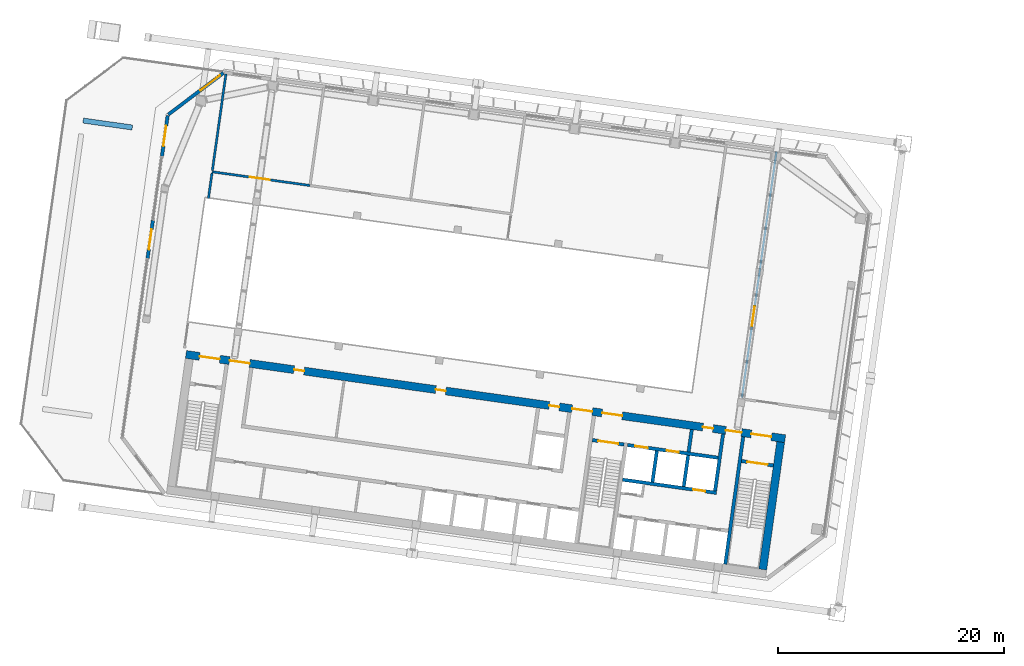
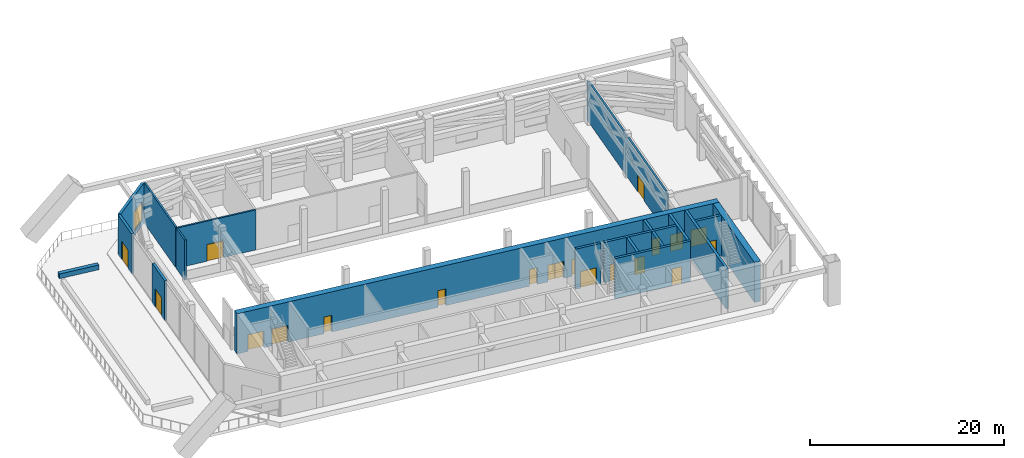
# One storey, part 21 of 41: 19 doors, 19 walls, 1 window, 20 openings.
"""IFC4 building model written with IfcOpenShell, lengths in metres."""

import ifcopenshell
import ifcopenshell.guid

model = None  # the IFC model being written
_history = None  # IfcOwnerHistory: only IFC2X3 demands one
_inside = {}  # id of a spatial element -> (the spatial element, [elements in it])
_under = {}  # id of a project, library or spatial element -> (it, [spatial elements below it])
_declared = {}  # id of a project -> (the project, [libraries it declares])
_typed = {}  # id of a type object -> (the type object, [elements of that type])
_made_of = {}  # id of a material, layer set ... -> (it, [elements and type objects made of it])


def new_model(schema):
    """Start an empty IFC model of exactly this schema.

    Asked for "IFC4X3", IfcOpenShell would pick the latest addendum, in which some entities
    have other attributes; the version numbers below select the first issue.
    IFC2X3 requires an IfcOwnerHistory on every rooted entity: one is made here for all.
    """
    global model, _history
    if schema == "IFC4X3":
        model = ifcopenshell.file(schema_version=(4, 3, 0, 0))
    else:
        model = ifcopenshell.file(schema=schema)
    _inside.clear()
    _under.clear()
    _declared.clear()
    _typed.clear()
    _made_of.clear()
    _history = None
    if model.schema == "IFC2X3":
        org = make("IfcOrganization", Name="unknown")
        user = make(
            "IfcPersonAndOrganization",
            ThePerson=make("IfcPerson", FamilyName="unknown"),
            TheOrganization=org,
        )
        app = make(
            "IfcApplication",
            ApplicationDeveloper=org,
            Version="unknown",
            ApplicationFullName="unknown",
            ApplicationIdentifier="unknown",
        )
        _history = make(
            "IfcOwnerHistory",
            OwningUser=user,
            OwningApplication=app,
            ChangeAction="ADDED",
            CreationDate=0,
        )
    return model


def make(cls, **values):
    """One entity of the class cls with the attributes given. An attribute that is None is left unset."""
    return model.create_entity(
        cls, **{name: value for name, value in values.items() if value is not None}
    )


def rooted(cls, **values):
    """An entity with a GlobalId (a new one), such as an element, a storey or a relation."""
    return make(cls, GlobalId=ifcopenshell.guid.new(), OwnerHistory=_history, **values)


def si_unit(unit_type, name, prefix=None):
    """IfcSIUnit, for example si_unit("LENGTHUNIT", "METRE", prefix="MILLI")."""
    return make("IfcSIUnit", UnitType=unit_type, Prefix=prefix, Name=name)


def assignment(units):
    """IfcUnitAssignment: the units of a project."""
    return None if units is None else make("IfcUnitAssignment", Units=units)


def point(xyz):
    """IfcCartesianPoint."""
    return None if xyz is None else make("IfcCartesianPoint", Coordinates=xyz)


def direction(xyz):
    """IfcDirection."""
    return None if xyz is None else make("IfcDirection", DirectionRatios=xyz)


def frame(location, z_axis=None, x_axis=None):
    """IfcAxis2Placement3D, a coordinate frame: its origin and axes. An axis left out is left unset."""
    return make(
        "IfcAxis2Placement3D",
        Location=point(location),
        Axis=direction(z_axis),
        RefDirection=direction(x_axis),
    )


def frame_2d(location, x_axis=None):
    """IfcAxis2Placement2D, a coordinate frame in the plane: its origin and x axis."""
    return make(
        "IfcAxis2Placement2D", Location=point(location), RefDirection=direction(x_axis)
    )


def origin():
    """The frame at (0, 0, 0) with its axes left unset."""
    return frame((0.0, 0.0, 0.0))


def place(relative_to, where):
    """IfcLocalPlacement: puts the frame where relative to a parent placement (None: the world)."""
    return make(
        "IfcLocalPlacement", PlacementRelTo=relative_to, RelativePlacement=where
    )


def context(
    kind, dimensions, precision=None, world=None, true_north=None, identifier=None
):
    """IfcGeometricRepresentationContext, for example the 3D "Model" context."""
    return make(
        "IfcGeometricRepresentationContext",
        ContextIdentifier=identifier,
        ContextType=kind,
        CoordinateSpaceDimension=dimensions,
        Precision=precision,
        WorldCoordinateSystem=world,
        TrueNorth=true_north,
    )


def subcontext(parent, identifier, kind, view, scale=None):
    """IfcGeometricRepresentationSubContext, for example "Body" below "Model"."""
    return make(
        "IfcGeometricRepresentationSubContext",
        ContextIdentifier=identifier,
        ContextType=kind,
        ParentContext=parent,
        TargetScale=scale,
        TargetView=view,
    )


def project(units=None, contexts=None):
    """IfcProject with its units and contexts."""
    return rooted(
        "IfcProject",
        Name="project",
        RepresentationContexts=contexts,
        UnitsInContext=assignment(units),
    )


def spatial(cls, under=None, at=None, **own):
    """A site, building, storey or space (cls), placed at a placement, below another one or the project."""
    s = rooted(cls, ObjectPlacement=at, **own)
    if under is not None:
        _under.setdefault(under.id(), (under, []))[1].append(s)
    return s


def profile(cls, at=None, kind="AREA", **sizes):
    """A parametric profile (cls). Its sizes go by their IFC names, for example OverallWidth=200.0."""
    return make(cls, ProfileType=kind, Position=at, **sizes)


def rectangle(**sizes):
    """IfcRectangleProfileDef."""
    return profile("IfcRectangleProfileDef", **sizes)


def extrude(swept, where, along, depth):
    """IfcExtrudedAreaSolid: the profile swept, set in the frame where, extruded along a direction by depth."""
    return make(
        "IfcExtrudedAreaSolid",
        SweptArea=swept,
        Position=where,
        ExtrudedDirection=direction(along),
        Depth=depth,
    )


def shape(context_of_items, identifier, shape_type, items):
    """IfcShapeRepresentation: the items that make up one representation, for example the "Body"."""
    return make(
        "IfcShapeRepresentation",
        ContextOfItems=context_of_items,
        RepresentationIdentifier=identifier,
        RepresentationType=shape_type,
        Items=items,
    )


def material(Name=None, Category=None):
    """IfcMaterial."""
    return make("IfcMaterial", Name=Name, Category=Category)


def layer(
    of_material, thickness, ventilated=None, Name=None, Category=None, Priority=None
):
    """IfcMaterialLayer: one layer of a wall or slab, of a material (None: an air gap)."""
    return make(
        "IfcMaterialLayer",
        Material=of_material,
        LayerThickness=thickness,
        IsVentilated=ventilated,
        Name=Name,
        Category=Category,
        Priority=Priority,
    )


def layer_set(layers, Name=None):
    """IfcMaterialLayerSet."""
    return make("IfcMaterialLayerSet", MaterialLayers=layers, LayerSetName=Name)


def made_of(thing, what):
    """Note that an element or type object is made of a material, layer set ...; save() writes the relation."""
    if what is not None:
        _made_of.setdefault(what.id(), (what, []))[1].append(thing)
    return thing


def type_object(cls, material=None, **own):
    """A type object (cls), such as IfcWallType, which elements share."""
    return made_of(rooted(cls, **own), material)


def element(
    cls,
    number,
    at=None,
    inside=None,
    cuts=None,
    type_object=None,
    material=None,
    context=None,
    identifier="Body",
    shape_type=None,
    held_by="IfcProductDefinitionShape",
    body=None,
    shapes=None,
    **own,
):
    """One element of the class cls, such as IfcWall. Its Tag is "e" and its number.

    at: its placement. inside: the storey or other place that contains it. cuts: it is an
    opening in that element (IfcRelVoidsElement). A single representation is given by context,
    identifier, shape_type and body (its items); several are given by shapes. held_by: the class
    of the entity that holds the representations. save() writes the other relations.
    """
    e = rooted(cls, Tag="e%d" % number, ObjectPlacement=at, **own)
    if body is not None:
        shapes = [shape(context, identifier, shape_type, body)]
    if shapes is not None:
        e.Representation = make(held_by, Representations=shapes)
    if inside is not None:
        _inside.setdefault(inside.id(), (inside, []))[1].append(e)
    if cuts is not None:
        rooted(
            "IfcRelVoidsElement", RelatingBuildingElement=cuts, RelatedOpeningElement=e
        )
    if type_object is not None:
        _typed.setdefault(type_object.id(), (type_object, []))[1].append(e)
    return made_of(e, material)


def fill(opening, filler):
    """IfcRelFillsElement: the door or window that sits in an opening."""
    return rooted(
        "IfcRelFillsElement",
        RelatingOpeningElement=opening,
        RelatedBuildingElement=filler,
    )


def aggregate(whole, parts):
    """IfcRelAggregates: a whole, such as a stair, and the parts it consists of."""
    return rooted("IfcRelAggregates", RelatingObject=whole, RelatedObjects=parts)


def save(model, path):
    """Write the relations noted so far, then the file.

    IfcRelAggregates (storeys below a building ...), IfcRelContainedInSpatialStructure (elements
    in a storey), IfcRelDefinesByType, IfcRelAssociatesMaterial and IfcRelDeclares: one each for
    every whole, place, type object, material and project.
    """
    for whole, parts in _under.values():
        aggregate(whole, parts)
    for where, things in _inside.values():
        rooted(
            "IfcRelContainedInSpatialStructure",
            RelatedElements=things,
            RelatingStructure=where,
        )
    for kind, things in _typed.values():
        rooted("IfcRelDefinesByType", RelatedObjects=things, RelatingType=kind)
    for what, things in _made_of.values():
        rooted("IfcRelAssociatesMaterial", RelatedObjects=things, RelatingMaterial=what)
    for by, libraries in _declared.values():
        rooted("IfcRelDeclares", RelatingContext=by, RelatedDefinitions=libraries)
    model.write(path)


model = new_model("IFC4")

# Units and contexts
model_context = context("Model", 3, precision=1e-05, world=origin(), true_north=direction((0.0, 1.0)))
body_context = subcontext(model_context, "Body", "Model", "MODEL_VIEW")
ifc_project = project(units=[si_unit("LENGTHUNIT", "METRE"), si_unit("AREAUNIT", "SQUARE_METRE"), si_unit("VOLUMEUNIT", "CUBIC_METRE"), si_unit("PLANEANGLEUNIT", "RADIAN"), si_unit("MASSUNIT", "GRAM", prefix="KILO")], contexts=[model_context])

# Site, building, storey
site_placement = place(None, origin())
site = spatial("IfcSite", under=ifc_project, at=site_placement, CompositionType="ELEMENT")
building_placement = place(site_placement, origin())
building = spatial("IfcBuilding", under=site, at=building_placement, Name="Mirante Cascada Hotel Towers", CompositionType="ELEMENT")
storey_placement = place(building_placement, frame((0.0, 0.0, 151.9)))
storey = spatial("IfcBuildingStorey", under=building, at=storey_placement, Name="L35", CompositionType="ELEMENT", Elevation=151.9)

# Walls
ifc_material_1 = material(Name="Masonry block", Category="masonry")
ifc_layer_1 = layer(ifc_material_1, 0.3)
ifc_layer_set_1 = layer_set([ifc_layer_1], Name="Core wall 300 block EI 120")
wall_type_1 = type_object("IfcWallType", Name="Core wall 300 block EI 120", PredefinedType="PARTITIONING", material=ifc_layer_set_1)
wall_1_placement = place(storey_placement, frame((-44.0843, -8.8061, 0.0), z_axis=(0.0, 0.0, 1.0), x_axis=(0.1391951, 0.990265, 0.0)))
element("IfcWall", 1, at=wall_1_placement, inside=storey, type_object=wall_type_1, Name="Core wall partition T1 L35 1", PredefinedType="PARTITIONING", context=body_context, shape_type="SweptSolid", body=[
    extrude(rectangle(XDim=2.0001, YDim=0.3, at=frame_2d((1.0001, 0.0))), origin(), (0.0, 0.0, 1.0), 5.05),
])
ifc_material_2 = material(Name="Precast concrete C40/50", Category="concrete")
ifc_layer_2 = layer(ifc_material_2, 0.45)
ifc_layer_set_2 = layer_set([ifc_layer_2], Name="Planter wall 450 concrete C40/50")
wall_type_2 = type_object("IfcWallType", Name="Planter wall 450 concrete C40/50", PredefinedType="PARAPET", material=ifc_layer_set_2)
wall_2_placement = place(storey_placement, frame((-93.3643, 19.932, 0.0), z_axis=(0.0, 0.0, 1.0), x_axis=(-0.990267, 0.139181, 0.0)))
element("IfcWall", 2, at=wall_2_placement, inside=storey, type_object=wall_type_2, Name="PLANTER T1 L35 bed 2", PredefinedType="PARAPET", context=body_context, shape_type="SweptSolid", body=[
    extrude(rectangle(XDim=4.4, YDim=0.45, at=frame_2d((2.2, 0.0))), origin(), (0.0, 0.0, 1.0), 0.6),
])

# Wall, opening, window
ifc_material_3 = material(Name="Precast concrete C40/50", Category="concrete")
ifc_layer_3 = layer(ifc_material_3, 0.3)
ifc_layer_set_3 = layer_set([ifc_layer_3], Name="Precast concrete C40/50 cladding wall 300")
wall_type_3 = type_object("IfcWallType", Name="Precast concrete C40/50 cladding wall 300", PredefinedType="STANDARD", material=ifc_layer_set_3)
wall_3_placement = place(storey_placement, frame((-90.1793, 21.0818, 0.0), z_axis=(0.0, 0.0, 1.0), x_axis=(0.7986341, 0.6018168, 0.0)))
wall_3 = element("IfcWall", 3, at=wall_3_placement, inside=storey, type_object=wall_type_3, Name="Corner cladding wall T1 L35 outer front", PredefinedType="STANDARD", context=body_context, shape_type="SweptSolid", body=[
    extrude(rectangle(XDim=6.1153, YDim=0.3, at=frame_2d((3.0577, 0.0))), origin(), (0.0, 0.0, 1.0), 5.05),
])
opening_1_placement = place(wall_3_placement, frame((3.5518, 0.0, 0.6)))
opening_1 = element("IfcOpeningElement", 4, at=opening_1_placement, cuts=wall_3, Name="Opening W1-35-09", PredefinedType="OPENING", context=body_context, shape_type="SweptSolid", body=[
    extrude(rectangle(XDim=2.2, YDim=2.4, at=frame_2d((1.1, 1.2))), frame((0.0, 0.15, 0.0), z_axis=(0.0, -1.0, 0.0), x_axis=(1.0, 0.0, 0.0)), (0.0, 0.0, 1.0), 0.3),
])
ifc_material_4 = material(Name="Aluminium frame with clear double glazing", Category="aluminium")
window_type = type_object("IfcWindowType", Name="Corner suite window 2200x2400", PartitioningType="DOUBLE_PANEL_VERTICAL", PredefinedType="WINDOW", material=ifc_material_4)
window_placement = place(opening_1_placement, origin())
window = element("IfcWindow", 5, at=window_placement, inside=storey, type_object=window_type, Name="Window W1-35-09", OverallHeight=2.4, OverallWidth=2.2, PartitioningType="SINGLE_PANEL", PredefinedType="WINDOW", context=body_context, shape_type="SweptSolid", body=[
    extrude(rectangle(XDim=2.2, YDim=2.4, at=frame_2d((1.1, 1.2))), frame((0.0, 0.03, 0.0), z_axis=(0.0, -1.0, 0.0), x_axis=(1.0, 0.0, 0.0)), (0.0, 0.0, 1.0), 0.06),
])
fill(opening_1, window)

# Wall, opening, door
ifc_material_5 = material(Name="Precast concrete C40/50", Category="concrete")
ifc_layer_4 = layer(ifc_material_5, 0.3)
ifc_layer_set_4 = layer_set([ifc_layer_4], Name="Precast concrete C40/50 terrace wall 300")
wall_type_4 = type_object("IfcWallType", Name="Precast concrete C40/50 terrace wall 300", PredefinedType="STANDARD", material=ifc_layer_set_4)
wall_4_placement = place(storey_placement, frame((-92.0157, 8.3315, 0.0), z_axis=(0.0, 0.0, 1.0), x_axis=(0.1391769, 0.9902675, 0.0)))
wall_4 = element("IfcWall", 6, at=wall_4_placement, inside=storey, type_object=wall_type_4, Name="Lounge door pier wall T1 L35 2", PredefinedType="STANDARD", context=body_context, shape_type="SweptSolid", body=[
    extrude(rectangle(XDim=3.4, YDim=0.3, at=frame_2d((1.7, 0.0))), origin(), (0.0, 0.0, 1.0), 5.05),
])
opening_2_placement = place(wall_4_placement, frame((0.8, 0.0, 0.0)))
opening_2 = element("IfcOpeningElement", 7, at=opening_2_placement, cuts=wall_4, Name="Opening D1-35-91", PredefinedType="OPENING", context=body_context, shape_type="SweptSolid", body=[
    extrude(rectangle(XDim=1.8, YDim=2.4, at=frame_2d((0.9, 1.2))), frame((0.0, 0.15, 0.0), z_axis=(0.0, -1.0, 0.0), x_axis=(1.0, 0.0, 0.0)), (0.0, 0.0, 1.0), 0.3),
])
ifc_material_6 = material(Name="Aluminium frame with clear laminated glazing", Category="aluminium")
door_type_1 = type_object("IfcDoorType", Name="Terrace double door 1800x2400", OperationType="DOUBLE_DOOR_SINGLE_SWING", PredefinedType="DOOR", material=ifc_material_6)
door_1_placement = place(opening_2_placement, origin())
door_1 = element("IfcDoor", 8, at=door_1_placement, inside=storey, type_object=door_type_1, Name="Terrace door D1-35-91", OperationType="DOUBLE_DOOR_SINGLE_SWING", OverallHeight=2.4, OverallWidth=1.8, PredefinedType="DOOR", context=body_context, shape_type="SweptSolid", body=[
    extrude(rectangle(XDim=0.895, YDim=2.4, at=frame_2d((0.4475, 1.2))), frame((0.0, 0.025, 0.0), z_axis=(0.0, -1.0, 0.0), x_axis=(1.0, 0.0, 0.0)), (0.0, 0.0, 1.0), 0.05),
    extrude(rectangle(XDim=0.895, YDim=2.4, at=frame_2d((1.3525, 1.2))), frame((0.0, 0.025, 0.0), z_axis=(0.0, -1.0, 0.0), x_axis=(1.0, 0.0, 0.0)), (0.0, 0.0, 1.0), 0.05),
])
fill(opening_2, door_1)

wall_5_placement = place(storey_placement, frame((-90.7439, 17.3804, 0.0), z_axis=(0.0, 0.0, 1.0), x_axis=(0.1391735, 0.990268, 0.0)))
wall_5 = element("IfcWall", 9, at=wall_5_placement, inside=storey, type_object=wall_type_4, Name="Lounge door pier wall T1 L35 4", PredefinedType="STANDARD", context=body_context, shape_type="SweptSolid", body=[
    extrude(rectangle(XDim=3.6379, YDim=0.3, at=frame_2d((1.819, 0.0))), origin(), (0.0, 0.0, 1.0), 5.05),
])
opening_3_placement = place(wall_5_placement, frame((0.919, 0.0, 0.0)))
opening_3 = element("IfcOpeningElement", 10, at=opening_3_placement, cuts=wall_5, Name="Opening D1-35-92", PredefinedType="OPENING", context=body_context, shape_type="SweptSolid", body=[
    extrude(rectangle(XDim=1.8, YDim=2.4, at=frame_2d((0.9, 1.2))), frame((0.0, 0.15, 0.0), z_axis=(0.0, -1.0, 0.0), x_axis=(1.0, 0.0, 0.0)), (0.0, 0.0, 1.0), 0.3),
])
door_2_placement = place(opening_3_placement, origin())
door_2 = element("IfcDoor", 11, at=door_2_placement, inside=storey, type_object=door_type_1, Name="Terrace door D1-35-92", OperationType="DOUBLE_DOOR_SINGLE_SWING", OverallHeight=2.4, OverallWidth=1.8, PredefinedType="DOOR", context=body_context, shape_type="SweptSolid", body=[
    extrude(rectangle(XDim=0.895, YDim=2.4, at=frame_2d((0.4475, 1.2))), frame((0.0, 0.025, 0.0), z_axis=(0.0, -1.0, 0.0), x_axis=(1.0, 0.0, 0.0)), (0.0, 0.0, 1.0), 0.05),
    extrude(rectangle(XDim=0.895, YDim=2.4, at=frame_2d((1.3525, 1.2))), frame((0.0, 0.025, 0.0), z_axis=(0.0, -1.0, 0.0), x_axis=(1.0, 0.0, 0.0)), (0.0, 0.0, 1.0), 0.05),
])
fill(opening_3, door_2)

# Wall
ifc_material_7 = material(Name="Concrete C50/60", Category="concrete")
ifc_layer_5 = layer(ifc_material_7, 0.3)
ifc_layer_set_5 = layer_set([ifc_layer_5], Name="RC core wall 300 C50/60")
wall_type_5 = type_object("IfcWallType", Name="RC core wall 300 C50/60", PredefinedType="SHEAR", material=ifc_layer_set_5)
wall_6_placement = place(storey_placement, frame((-40.8373, -18.7548, 0.0), z_axis=(0.0, 0.0, 1.0), x_axis=(0.1391749, 0.9902678, 0.0)))
element("IfcWall", 12, at=wall_6_placement, inside=storey, type_object=wall_type_5, Name="Core wall T1:L35:5", PredefinedType="SHEAR", context=body_context, shape_type="SweptSolid", body=[
    extrude(rectangle(XDim=11.4, YDim=0.3, at=frame_2d((5.7, 0.0))), origin(), (0.0, 0.0, 1.0), 5.05),
])

# Wall, opening, door
wall_7_placement = place(storey_placement, frame((-36.5791, -10.0123, 0.0), z_axis=(0.0, 0.0, 1.0), x_axis=(-0.9902704, 0.1391564, 0.0)))
wall_7 = element("IfcWall", 13, at=wall_7_placement, inside=storey, type_object=wall_type_5, Name="Core wall T1:L35:9", PredefinedType="SHEAR", context=body_context, shape_type="SweptSolid", body=[
    extrude(rectangle(XDim=2.85, YDim=0.3, at=frame_2d((1.425, 0.0))), origin(), (0.0, 0.0, 1.0), 5.05),
])
opening_4_placement = place(wall_7_placement, frame((0.525, 0.0, 0.0)))
opening_4 = element("IfcOpeningElement", 14, at=opening_4_placement, cuts=wall_7, Name="Opening D1-35-C13", PredefinedType="OPENING", context=body_context, shape_type="SweptSolid", body=[
    extrude(rectangle(XDim=1.8, YDim=2.1, at=frame_2d((0.9, 1.05))), frame((0.0, 0.15, 0.0), z_axis=(0.0, -1.0, 0.0), x_axis=(1.0, 0.0, 0.0)), (0.0, 0.0, 1.0), 0.3),
])
ifc_material_8 = material(Name="Hollow metal fire door leaf")
door_type_2 = type_object("IfcDoorType", Name="Double fire door 1800x2100 FD60", OperationType="DOUBLE_DOOR_SINGLE_SWING", PredefinedType="DOOR", material=ifc_material_8)
door_3_placement = place(opening_4_placement, origin())
door_3 = element("IfcDoor", 15, at=door_3_placement, inside=storey, type_object=door_type_2, Name="Stair door T1 L35 13", OperationType="DOUBLE_DOOR_SINGLE_SWING", OverallHeight=2.1, OverallWidth=1.8, PredefinedType="DOOR", context=body_context, shape_type="SweptSolid", body=[
    extrude(rectangle(XDim=0.895, YDim=2.1, at=frame_2d((0.4475, 1.05))), frame((0.0, 0.025, 0.0), z_axis=(0.0, -1.0, 0.0), x_axis=(1.0, 0.0, 0.0)), (0.0, 0.0, 1.0), 0.05),
    extrude(rectangle(XDim=0.895, YDim=2.1, at=frame_2d((1.3525, 1.05))), frame((0.0, 0.025, 0.0), z_axis=(0.0, -1.0, 0.0), x_axis=(1.0, 0.0, 0.0)), (0.0, 0.0, 1.0), 0.05),
])
fill(opening_4, door_3)

wall_8_placement = place(storey_placement, frame((-49.7992, -8.1544, 0.0), z_axis=(0.0, 0.0, 1.0), x_axis=(-0.9902656, 0.1391909, 0.0)))
wall_8 = element("IfcWall", 16, at=wall_8_placement, inside=storey, type_object=wall_type_5, Name="Core wall T1:L35:10", PredefinedType="SHEAR", context=body_context, shape_type="SweptSolid", body=[
    extrude(rectangle(XDim=2.85, YDim=0.3, at=frame_2d((1.425, 0.0))), origin(), (0.0, 0.0, 1.0), 5.05),
])
opening_5_placement = place(wall_8_placement, frame((0.525, 0.0, 0.0)))
opening_5 = element("IfcOpeningElement", 17, at=opening_5_placement, cuts=wall_8, Name="Opening D1-35-C15", PredefinedType="OPENING", context=body_context, shape_type="SweptSolid", body=[
    extrude(rectangle(XDim=1.8, YDim=2.1, at=frame_2d((0.9, 1.05))), frame((0.0, 0.15, 0.0), z_axis=(0.0, -1.0, 0.0), x_axis=(1.0, 0.0, 0.0)), (0.0, 0.0, 1.0), 0.3),
])
door_4_placement = place(opening_5_placement, origin())
door_4 = element("IfcDoor", 18, at=door_4_placement, inside=storey, type_object=door_type_2, Name="Stair door T1 L35 15", OperationType="DOUBLE_DOOR_SINGLE_SWING", OverallHeight=2.1, OverallWidth=1.8, PredefinedType="DOOR", context=body_context, shape_type="SweptSolid", body=[
    extrude(rectangle(XDim=0.895, YDim=2.1, at=frame_2d((0.4475, 1.05))), frame((0.0, 0.025, 0.0), z_axis=(0.0, -1.0, 0.0), x_axis=(1.0, 0.0, 0.0)), (0.0, 0.0, 1.0), 0.05),
    extrude(rectangle(XDim=0.895, YDim=2.1, at=frame_2d((1.3525, 1.05))), frame((0.0, 0.025, 0.0), z_axis=(0.0, -1.0, 0.0), x_axis=(1.0, 0.0, 0.0)), (0.0, 0.0, 1.0), 0.05),
])
fill(opening_5, door_4)

wall_9_placement = place(storey_placement, frame((-41.6153, -12.435, 0.0), z_axis=(0.0, 0.0, 1.0), x_axis=(-0.9902691, 0.139166, 0.0)))
wall_9 = element("IfcWall", 19, at=wall_9_placement, inside=storey, type_object=wall_type_5, Name="Core wall T1:L35:13", PredefinedType="SHEAR", context=body_context, shape_type="SweptSolid", body=[
    extrude(rectangle(XDim=8.4, YDim=0.3, at=frame_2d((4.2, 0.0))), origin(), (0.0, 0.0, 1.0), 5.05),
])
opening_6_placement = place(wall_9_placement, frame((1.0, 0.0, 0.0)))
opening_6 = element("IfcOpeningElement", 20, at=opening_6_placement, cuts=wall_9, Name="Opening LD", PredefinedType="OPENING", context=body_context, shape_type="SweptSolid", body=[
    extrude(rectangle(XDim=1.1, YDim=2.1, at=frame_2d((0.55, 1.05))), frame((0.0, 0.15, 0.0), z_axis=(0.0, -1.0, 0.0), x_axis=(1.0, 0.0, 0.0)), (0.0, 0.0, 1.0), 0.3),
])
ifc_material_9 = material(Name="Stainless steel", Category="steel")
door_type_3 = type_object("IfcDoorType", Name="Lift landing door 1100x2100 EI 120", OperationType="DOUBLE_DOOR_SLIDING", PredefinedType="DOOR", material=ifc_material_9)
door_5_placement = place(opening_6_placement, origin())
door_5 = element("IfcDoor", 21, at=door_5_placement, inside=storey, type_object=door_type_3, Name="Lift landing door HR1-4 L35", OperationType="DOUBLE_DOOR_SLIDING", OverallHeight=2.1, OverallWidth=1.1, PredefinedType="DOOR", context=body_context, shape_type="SweptSolid", body=[
    extrude(rectangle(XDim=0.545, YDim=2.1, at=frame_2d((0.2725, 1.05))), frame((0.0, 0.025, 0.0), z_axis=(0.0, -1.0, 0.0), x_axis=(1.0, 0.0, 0.0)), (0.0, 0.0, 1.0), 0.05),
    extrude(rectangle(XDim=0.545, YDim=2.1, at=frame_2d((0.8275, 1.05))), frame((0.0, 0.025, 0.0), z_axis=(0.0, -1.0, 0.0), x_axis=(1.0, 0.0, 0.0)), (0.0, 0.0, 1.0), 0.05),
])
fill(opening_6, door_5)

# Wall, openings, doors
wall_10_placement = place(storey_placement, frame((-41.481, -9.3234, 0.0), z_axis=(0.0, 0.0, 1.0), x_axis=(-0.9902679, 0.1391741, 0.0)))
wall_10 = element("IfcWall", 22, at=wall_10_placement, inside=storey, type_object=wall_type_5, Name="Core wall T1:L35:14", PredefinedType="SHEAR", context=body_context, shape_type="SweptSolid", body=[
    extrude(rectangle(XDim=8.0999, YDim=0.3, at=frame_2d((4.05, 0.0))), origin(), (0.0, 0.0, 1.0), 5.05),
])
opening_7_placement = place(wall_10_placement, frame((3.5, 0.0, 0.0)))
opening_7 = element("IfcOpeningElement", 23, at=opening_7_placement, cuts=wall_10, Name="Opening LD", PredefinedType="OPENING", context=body_context, shape_type="SweptSolid", body=[
    extrude(rectangle(XDim=1.1, YDim=2.1, at=frame_2d((0.55, 1.05))), frame((0.0, 0.15, 0.0), z_axis=(0.0, -1.0, 0.0), x_axis=(1.0, 0.0, 0.0)), (0.0, 0.0, 1.0), 0.3),
])
opening_8_placement = place(wall_10_placement, frame((6.3, 0.0, 0.0)))
opening_8 = element("IfcOpeningElement", 24, at=opening_8_placement, cuts=wall_10, Name="Opening LD", PredefinedType="OPENING", context=body_context, shape_type="SweptSolid", body=[
    extrude(rectangle(XDim=1.1, YDim=2.1, at=frame_2d((0.55, 1.05))), frame((0.0, 0.15, 0.0), z_axis=(0.0, -1.0, 0.0), x_axis=(1.0, 0.0, 0.0)), (0.0, 0.0, 1.0), 0.3),
])
door_6_placement = place(opening_7_placement, origin())
door_6 = element("IfcDoor", 25, at=door_6_placement, inside=storey, type_object=door_type_3, Name="Lift landing door FF1 L35", OperationType="DOUBLE_DOOR_SLIDING", OverallHeight=2.1, OverallWidth=1.1, PredefinedType="DOOR", context=body_context, shape_type="SweptSolid", body=[
    extrude(rectangle(XDim=0.545, YDim=2.1, at=frame_2d((0.2725, 1.05))), frame((0.0, 0.025, 0.0), z_axis=(0.0, -1.0, 0.0), x_axis=(1.0, 0.0, 0.0)), (0.0, 0.0, 1.0), 0.05),
    extrude(rectangle(XDim=0.545, YDim=2.1, at=frame_2d((0.8275, 1.05))), frame((0.0, 0.025, 0.0), z_axis=(0.0, -1.0, 0.0), x_axis=(1.0, 0.0, 0.0)), (0.0, 0.0, 1.0), 0.05),
])
fill(opening_7, door_6)
door_7_placement = place(opening_8_placement, origin())
door_7 = element("IfcDoor", 26, at=door_7_placement, inside=storey, type_object=door_type_3, Name="Lift landing door FF2 L35", OperationType="DOUBLE_DOOR_SLIDING", OverallHeight=2.1, OverallWidth=1.1, PredefinedType="DOOR", context=body_context, shape_type="SweptSolid", body=[
    extrude(rectangle(XDim=0.545, YDim=2.1, at=frame_2d((0.2725, 1.05))), frame((0.0, 0.025, 0.0), z_axis=(0.0, -1.0, 0.0), x_axis=(1.0, 0.0, 0.0)), (0.0, 0.0, 1.0), 0.05),
    extrude(rectangle(XDim=0.545, YDim=2.1, at=frame_2d((0.8275, 1.05))), frame((0.0, 0.025, 0.0), z_axis=(0.0, -1.0, 0.0), x_axis=(1.0, 0.0, 0.0)), (0.0, 0.0, 1.0), 0.05),
])
fill(opening_8, door_7)

# Walls
for number, where, z_axis, x_axis, name in (
    (27, (-44.5157, -11.8759, 0.0), (0.0, 0.0, 1.0), (0.139181, 0.990267, 0.0), "Core wall T1:L35:18"),
    (28, (-47.2885, -11.4862, 0.0), (0.0, 0.0, 1.0), (0.139181, 0.990267, 0.0), "Core wall T1:L35:19"),
):
    element("IfcWall", number, at=place(storey_placement, frame(where, z_axis=z_axis, x_axis=x_axis)), inside=storey, type_object=wall_type_5, Name=name, PredefinedType="SHEAR", context=body_context, shape_type="SweptSolid", body=[
        extrude(rectangle(XDim=2.8, YDim=0.3, at=frame_2d((1.4, 0.0))), origin(), (0.0, 0.0, 1.0), 5.05),
    ])
wall_11_placement = place(storey_placement, frame((-41.743, -12.2656, 0.0), z_axis=(0.0, 0.0, 1.0), x_axis=(0.1391755, 0.9902677, 0.0)))
element("IfcWall", 29, at=wall_11_placement, inside=storey, type_object=wall_type_5, Name="Core wall T1:L35:20", PredefinedType="SHEAR", context=body_context, shape_type="SweptSolid", body=[
    extrude(rectangle(XDim=5.1, YDim=0.3, at=frame_2d((2.55, 0.0))), origin(), (0.0, 0.0, 1.0), 5.05),
])

# Wall, openings, doors
ifc_material_10 = material(Name="Concrete C50/60", Category="concrete")
ifc_layer_6 = layer(ifc_material_10, 0.7)
ifc_layer_set_6 = layer_set([ifc_layer_6], Name="RC core wall 700 C50/60")
wall_type_6 = type_object("IfcWallType", Name="RC core wall 700 C50/60", PredefinedType="SHEAR", material=ifc_layer_set_6)
wall_12_placement = place(storey_placement, frame((-35.538, -7.6341, 0.0), z_axis=(0.0, 0.0, 1.0), x_axis=(-0.990268, 0.1391734, 0.0)))
wall_12 = element("IfcWall", 30, at=wall_12_placement, inside=storey, type_object=wall_type_6, Name="Core wall T1:L35:2", PredefinedType="SHEAR", context=body_context, shape_type="SweptSolid", body=[
    extrude(rectangle(XDim=53.6, YDim=0.7, at=frame_2d((26.8, 0.0))), origin(), (0.0, 0.0, 1.0), 5.05),
])
opening_9_placement = place(wall_12_placement, frame((1.225, 0.0, 0.0)))
opening_9 = element("IfcOpeningElement", 31, at=opening_9_placement, cuts=wall_12, Name="Opening D1-35-C14", PredefinedType="OPENING", context=body_context, shape_type="SweptSolid", body=[
    extrude(rectangle(XDim=1.8, YDim=2.1, at=frame_2d((0.9, 1.05))), frame((0.0, 0.35, 0.0), z_axis=(0.0, -1.0, 0.0), x_axis=(1.0, 0.0, 0.0)), (0.0, 0.0, 1.0), 0.7),
])
opening_10_placement = place(wall_12_placement, frame((14.575, 0.0, 0.0)))
opening_10 = element("IfcOpeningElement", 32, at=opening_10_placement, cuts=wall_12, Name="Opening D1-35-C16", PredefinedType="OPENING", context=body_context, shape_type="SweptSolid", body=[
    extrude(rectangle(XDim=1.8, YDim=2.1, at=frame_2d((0.9, 1.05))), frame((0.0, 0.35, 0.0), z_axis=(0.0, -1.0, 0.0), x_axis=(1.0, 0.0, 0.0)), (0.0, 0.0, 1.0), 0.7),
])
opening_11_placement = place(wall_12_placement, frame((50.575, 0.0, 0.0)))
opening_11 = element("IfcOpeningElement", 33, at=opening_11_placement, cuts=wall_12, Name="Opening D1-35-C18", PredefinedType="OPENING", context=body_context, shape_type="SweptSolid", body=[
    extrude(rectangle(XDim=1.8, YDim=2.1, at=frame_2d((0.9, 1.05))), frame((0.0, 0.35, 0.0), z_axis=(0.0, -1.0, 0.0), x_axis=(1.0, 0.0, 0.0)), (0.0, 0.0, 1.0), 0.7),
])
opening_12_placement = place(wall_12_placement, frame((3.9, 0.0, 0.0)))
opening_12 = element("IfcOpeningElement", 34, at=opening_12_placement, cuts=wall_12, Name="Opening D1-35-C19", PredefinedType="OPENING", context=body_context, shape_type="SweptSolid", body=[
    extrude(rectangle(XDim=1.4, YDim=2.1, at=frame_2d((0.7, 1.05))), frame((0.0, 0.35, 0.0), z_axis=(0.0, -1.0, 0.0), x_axis=(1.0, 0.0, 0.0)), (0.0, 0.0, 1.0), 0.7),
])
opening_13_placement = place(wall_12_placement, frame((17.25, 0.0, 0.0)))
opening_13 = element("IfcOpeningElement", 35, at=opening_13_placement, cuts=wall_12, Name="Opening D1-35-C20", PredefinedType="OPENING", context=body_context, shape_type="SweptSolid", body=[
    extrude(rectangle(XDim=1.8, YDim=2.1, at=frame_2d((0.9, 1.05))), frame((0.0, 0.35, 0.0), z_axis=(0.0, -1.0, 0.0), x_axis=(1.0, 0.0, 0.0)), (0.0, 0.0, 1.0), 0.7),
])
opening_14_placement = place(wall_12_placement, frame((47.9, 0.0, 0.0)))
opening_14 = element("IfcOpeningElement", 36, at=opening_14_placement, cuts=wall_12, Name="Opening D1-35-C21", PredefinedType="OPENING", context=body_context, shape_type="SweptSolid", body=[
    extrude(rectangle(XDim=1.8, YDim=2.1, at=frame_2d((0.9, 1.05))), frame((0.0, 0.35, 0.0), z_axis=(0.0, -1.0, 0.0), x_axis=(1.0, 0.0, 0.0)), (0.0, 0.0, 1.0), 0.7),
])
opening_15_placement = place(wall_12_placement, frame((6.45, 0.0, 0.0)))
opening_15 = element("IfcOpeningElement", 37, at=opening_15_placement, cuts=wall_12, Name="Opening D1-35-C24", PredefinedType="OPENING", context=body_context, shape_type="SweptSolid", body=[
    extrude(rectangle(XDim=0.9, YDim=2.1, at=frame_2d((0.45, 1.05))), frame((0.0, 0.35, 0.0), z_axis=(0.0, -1.0, 0.0), x_axis=(1.0, 0.0, 0.0)), (0.0, 0.0, 1.0), 0.7),
])
opening_16_placement = place(wall_12_placement, frame((20.2, 0.0, 0.0)))
opening_16 = element("IfcOpeningElement", 38, at=opening_16_placement, cuts=wall_12, Name="Opening D1-35-C28", PredefinedType="OPENING", context=body_context, shape_type="SweptSolid", body=[
    extrude(rectangle(XDim=0.9, YDim=2.1, at=frame_2d((0.45, 1.05))), frame((0.0, 0.35, 0.0), z_axis=(0.0, -1.0, 0.0), x_axis=(1.0, 0.0, 0.0)), (0.0, 0.0, 1.0), 0.7),
])
opening_17_placement = place(wall_12_placement, frame((30.35, 0.0, 0.0)))
opening_17 = element("IfcOpeningElement", 39, at=opening_17_placement, cuts=wall_12, Name="Opening D1-35-C29", PredefinedType="OPENING", context=body_context, shape_type="SweptSolid", body=[
    extrude(rectangle(XDim=0.9, YDim=2.1, at=frame_2d((0.45, 1.05))), frame((0.0, 0.35, 0.0), z_axis=(0.0, -1.0, 0.0), x_axis=(1.0, 0.0, 0.0)), (0.0, 0.0, 1.0), 0.7),
])
opening_18_placement = place(wall_12_placement, frame((43.025, 0.0, 0.0)))
opening_18 = element("IfcOpeningElement", 40, at=opening_18_placement, cuts=wall_12, Name="Opening D1-35-C30", PredefinedType="OPENING", context=body_context, shape_type="SweptSolid", body=[
    extrude(rectangle(XDim=0.9, YDim=2.1, at=frame_2d((0.45, 1.05))), frame((0.0, 0.35, 0.0), z_axis=(0.0, -1.0, 0.0), x_axis=(1.0, 0.0, 0.0)), (0.0, 0.0, 1.0), 0.7),
])
ifc_material_11 = material(Name="Hollow metal fire door leaf")
door_type_4 = type_object("IfcDoorType", Name="Double fire door 1400x2100 FD60", OperationType="DOUBLE_DOOR_SINGLE_SWING", PredefinedType="DOOR", material=ifc_material_11)
door_8_placement = place(opening_12_placement, frame((1.4, 0.0, 0.0), z_axis=(0.0, 0.0, 1.0), x_axis=(-1.0, 0.0, 0.0)))
door_8 = element("IfcDoor", 41, at=door_8_placement, inside=storey, type_object=door_type_4, Name="Exit door to gallery T1 L35 19", OperationType="DOUBLE_DOOR_SINGLE_SWING", OverallHeight=2.1, OverallWidth=1.4, PredefinedType="DOOR", context=body_context, shape_type="SweptSolid", body=[
    extrude(rectangle(XDim=0.695, YDim=2.1, at=frame_2d((0.3475, 1.05))), frame((0.0, 0.025, 0.0), z_axis=(0.0, -1.0, 0.0), x_axis=(1.0, 0.0, 0.0)), (0.0, 0.0, 1.0), 0.05),
    extrude(rectangle(XDim=0.695, YDim=2.1, at=frame_2d((1.0525, 1.05))), frame((0.0, 0.025, 0.0), z_axis=(0.0, -1.0, 0.0), x_axis=(1.0, 0.0, 0.0)), (0.0, 0.0, 1.0), 0.05),
])
fill(opening_12, door_8)
door_9_placement = place(opening_9_placement, origin())
door_9 = element("IfcDoor", 42, at=door_9_placement, inside=storey, type_object=door_type_2, Name="Exit door to gallery T1 L35 14", OperationType="DOUBLE_DOOR_SINGLE_SWING", OverallHeight=2.1, OverallWidth=1.8, PredefinedType="DOOR", context=body_context, shape_type="SweptSolid", body=[
    extrude(rectangle(XDim=0.895, YDim=2.1, at=frame_2d((0.4475, 1.05))), frame((0.0, 0.025, 0.0), z_axis=(0.0, -1.0, 0.0), x_axis=(1.0, 0.0, 0.0)), (0.0, 0.0, 1.0), 0.05),
    extrude(rectangle(XDim=0.895, YDim=2.1, at=frame_2d((1.3525, 1.05))), frame((0.0, 0.025, 0.0), z_axis=(0.0, -1.0, 0.0), x_axis=(1.0, 0.0, 0.0)), (0.0, 0.0, 1.0), 0.05),
])
fill(opening_9, door_9)
door_10_placement = place(opening_10_placement, origin())
door_10 = element("IfcDoor", 43, at=door_10_placement, inside=storey, type_object=door_type_2, Name="Exit door to gallery T1 L35 16", OperationType="DOUBLE_DOOR_SINGLE_SWING", OverallHeight=2.1, OverallWidth=1.8, PredefinedType="DOOR", context=body_context, shape_type="SweptSolid", body=[
    extrude(rectangle(XDim=0.895, YDim=2.1, at=frame_2d((0.4475, 1.05))), frame((0.0, 0.025, 0.0), z_axis=(0.0, -1.0, 0.0), x_axis=(1.0, 0.0, 0.0)), (0.0, 0.0, 1.0), 0.05),
    extrude(rectangle(XDim=0.895, YDim=2.1, at=frame_2d((1.3525, 1.05))), frame((0.0, 0.025, 0.0), z_axis=(0.0, -1.0, 0.0), x_axis=(1.0, 0.0, 0.0)), (0.0, 0.0, 1.0), 0.05),
])
fill(opening_10, door_10)
door_11_placement = place(opening_11_placement, origin())
door_11 = element("IfcDoor", 44, at=door_11_placement, inside=storey, type_object=door_type_2, Name="Exit door to gallery T1 L35 18", OperationType="DOUBLE_DOOR_SINGLE_SWING", OverallHeight=2.1, OverallWidth=1.8, PredefinedType="DOOR", context=body_context, shape_type="SweptSolid", body=[
    extrude(rectangle(XDim=0.895, YDim=2.1, at=frame_2d((0.4475, 1.05))), frame((0.0, 0.025, 0.0), z_axis=(0.0, -1.0, 0.0), x_axis=(1.0, 0.0, 0.0)), (0.0, 0.0, 1.0), 0.05),
    extrude(rectangle(XDim=0.895, YDim=2.1, at=frame_2d((1.3525, 1.05))), frame((0.0, 0.025, 0.0), z_axis=(0.0, -1.0, 0.0), x_axis=(1.0, 0.0, 0.0)), (0.0, 0.0, 1.0), 0.05),
])
fill(opening_11, door_11)
door_12_placement = place(opening_13_placement, frame((1.8, 0.0, 0.0), z_axis=(0.0, 0.0, 1.0), x_axis=(-1.0, 0.0, 0.0)))
door_12 = element("IfcDoor", 45, at=door_12_placement, inside=storey, type_object=door_type_2, Name="Exit door to gallery T1 L35 20", OperationType="DOUBLE_DOOR_SINGLE_SWING", OverallHeight=2.1, OverallWidth=1.8, PredefinedType="DOOR", context=body_context, shape_type="SweptSolid", body=[
    extrude(rectangle(XDim=0.895, YDim=2.1, at=frame_2d((0.4475, 1.05))), frame((0.0, 0.025, 0.0), z_axis=(0.0, -1.0, 0.0), x_axis=(1.0, 0.0, 0.0)), (0.0, 0.0, 1.0), 0.05),
    extrude(rectangle(XDim=0.895, YDim=2.1, at=frame_2d((1.3525, 1.05))), frame((0.0, 0.025, 0.0), z_axis=(0.0, -1.0, 0.0), x_axis=(1.0, 0.0, 0.0)), (0.0, 0.0, 1.0), 0.05),
])
fill(opening_13, door_12)
door_13_placement = place(opening_14_placement, frame((1.8, 0.0, 0.0), z_axis=(0.0, 0.0, 1.0), x_axis=(-1.0, 0.0, 0.0)))
door_13 = element("IfcDoor", 46, at=door_13_placement, inside=storey, type_object=door_type_2, Name="Exit door to gallery T1 L35 21", OperationType="DOUBLE_DOOR_SINGLE_SWING", OverallHeight=2.1, OverallWidth=1.8, PredefinedType="DOOR", context=body_context, shape_type="SweptSolid", body=[
    extrude(rectangle(XDim=0.895, YDim=2.1, at=frame_2d((0.4475, 1.05))), frame((0.0, 0.025, 0.0), z_axis=(0.0, -1.0, 0.0), x_axis=(1.0, 0.0, 0.0)), (0.0, 0.0, 1.0), 0.05),
    extrude(rectangle(XDim=0.895, YDim=2.1, at=frame_2d((1.3525, 1.05))), frame((0.0, 0.025, 0.0), z_axis=(0.0, -1.0, 0.0), x_axis=(1.0, 0.0, 0.0)), (0.0, 0.0, 1.0), 0.05),
])
fill(opening_14, door_13)
ifc_material_12 = material(Name="Hollow metal fire door leaf")
door_type_5 = type_object("IfcDoorType", Name="Fire door 900x2100 FD60", OperationType="NOTDEFINED", PredefinedType="DOOR", material=ifc_material_12)
door_14_placement = place(opening_15_placement, origin())
door_14 = element("IfcDoor", 47, at=door_14_placement, inside=storey, type_object=door_type_5, Name="Room door T1 L35 24", OperationType="SINGLE_SWING_RIGHT", OverallHeight=2.1, OverallWidth=0.9, PredefinedType="DOOR", context=body_context, shape_type="SweptSolid", body=[
    extrude(rectangle(XDim=0.9, YDim=2.1, at=frame_2d((0.45, 1.05))), frame((0.0, 0.025, 0.0), z_axis=(0.0, -1.0, 0.0), x_axis=(1.0, 0.0, 0.0)), (0.0, 0.0, 1.0), 0.05),
])
fill(opening_15, door_14)
door_15_placement = place(opening_16_placement, origin())
door_15 = element("IfcDoor", 48, at=door_15_placement, inside=storey, type_object=door_type_5, Name="Room door T1 L35 28", OperationType="SINGLE_SWING_RIGHT", OverallHeight=2.1, OverallWidth=0.9, PredefinedType="DOOR", context=body_context, shape_type="SweptSolid", body=[
    extrude(rectangle(XDim=0.9, YDim=2.1, at=frame_2d((0.45, 1.05))), frame((0.0, 0.025, 0.0), z_axis=(0.0, -1.0, 0.0), x_axis=(1.0, 0.0, 0.0)), (0.0, 0.0, 1.0), 0.05),
])
fill(opening_16, door_15)
door_16_placement = place(opening_17_placement, origin())
door_16 = element("IfcDoor", 49, at=door_16_placement, inside=storey, type_object=door_type_5, Name="Room door T1 L35 29", OperationType="SINGLE_SWING_LEFT", OverallHeight=2.1, OverallWidth=0.9, PredefinedType="DOOR", context=body_context, shape_type="SweptSolid", body=[
    extrude(rectangle(XDim=0.9, YDim=2.1, at=frame_2d((0.45, 1.05))), frame((0.0, 0.025, 0.0), z_axis=(0.0, -1.0, 0.0), x_axis=(1.0, 0.0, 0.0)), (0.0, 0.0, 1.0), 0.05),
])
fill(opening_17, door_16)
door_17_placement = place(opening_18_placement, origin())
door_17 = element("IfcDoor", 50, at=door_17_placement, inside=storey, type_object=door_type_5, Name="Room door T1 L35 30", OperationType="SINGLE_SWING_LEFT", OverallHeight=2.1, OverallWidth=0.9, PredefinedType="DOOR", context=body_context, shape_type="SweptSolid", body=[
    extrude(rectangle(XDim=0.9, YDim=2.1, at=frame_2d((0.45, 1.05))), frame((0.0, 0.025, 0.0), z_axis=(0.0, -1.0, 0.0), x_axis=(1.0, 0.0, 0.0)), (0.0, 0.0, 1.0), 0.05),
])
fill(opening_18, door_17)

# Wall
wall_13_placement = place(storey_placement, frame((-37.5199, -19.221, 0.0), z_axis=(0.0, 0.0, 1.0), x_axis=(0.1391761, 0.9902677, 0.0)))
element("IfcWall", 51, at=wall_13_placement, inside=storey, type_object=wall_type_6, Name="Core wall T1:L35:3", PredefinedType="SHEAR", context=body_context, shape_type="SweptSolid", body=[
    extrude(rectangle(XDim=11.3999, YDim=0.7, at=frame_2d((5.7, 0.0))), origin(), (0.0, 0.0, 1.0), 5.05),
])

# Wall, opening, door
ifc_material_13 = material(Name="Masonry block", Category="masonry")
ifc_layer_7 = layer(ifc_material_13, 0.2)
ifc_layer_set_7 = layer_set([ifc_layer_7], Name="Refuge and plant wall 200 block EI 120")
wall_type_7 = type_object("IfcWallType", Name="Refuge and plant wall 200 block EI 120", PredefinedType="PARTITIONING", material=ifc_layer_set_7)
wall_14_placement = place(storey_placement, frame((-77.6265, 14.7917, 0.0), z_axis=(0.0, 0.0, 1.0), x_axis=(-0.9902676, 0.1391762, 0.0)))
wall_14 = element("IfcWall", 52, at=wall_14_placement, inside=storey, type_object=wall_type_7, Name="Refuge floor wall T1 L35 S4", PredefinedType="PARTITIONING", context=body_context, shape_type="SweptSolid", body=[
    extrude(rectangle(XDim=8.7501, YDim=0.2, at=frame_2d((4.375, 0.0))), origin(), (0.0, 0.0, 1.0), 5.05),
])
opening_19_placement = place(wall_14_placement, frame((3.6, 0.0, 0.0)))
opening_19 = element("IfcOpeningElement", 53, at=opening_19_placement, cuts=wall_14, Name="Opening D1-35-S07", PredefinedType="OPENING", context=body_context, shape_type="SweptSolid", body=[
    extrude(rectangle(XDim=1.8, YDim=2.1, at=frame_2d((0.9, 1.05))), frame((0.0, 0.1, 0.0), z_axis=(0.0, -1.0, 0.0), x_axis=(1.0, 0.0, 0.0)), (0.0, 0.0, 1.0), 0.2),
])
ifc_material_14 = material(Name="Hollow metal fire door leaf")
door_type_6 = type_object("IfcDoorType", Name="Refuge and plant double door 1800x2100 FD60", OperationType="DOUBLE_DOOR_SINGLE_SWING", PredefinedType="DOOR", material=ifc_material_14)
door_18_placement = place(opening_19_placement, frame((1.8, 0.0, 0.0), z_axis=(0.0, 0.0, 1.0), x_axis=(-1.0, 0.0, 0.0)))
door_18 = element("IfcDoor", 54, at=door_18_placement, inside=storey, type_object=door_type_6, Name="Fire door T1 L35 s7", OperationType="DOUBLE_DOOR_SINGLE_SWING", OverallHeight=2.1, OverallWidth=1.8, PredefinedType="DOOR", context=body_context, shape_type="SweptSolid", body=[
    extrude(rectangle(XDim=0.895, YDim=2.1, at=frame_2d((0.4475, 1.05))), frame((0.0, 0.025, 0.0), z_axis=(0.0, -1.0, 0.0), x_axis=(1.0, 0.0, 0.0)), (0.0, 0.0, 1.0), 0.05),
    extrude(rectangle(XDim=0.895, YDim=2.1, at=frame_2d((1.3525, 1.05))), frame((0.0, 0.025, 0.0), z_axis=(0.0, -1.0, 0.0), x_axis=(1.0, 0.0, 0.0)), (0.0, 0.0, 1.0), 0.05),
])
fill(opening_19, door_18)

wall_15_placement = place(storey_placement, frame((-39.3717, -4.0153, 0.0), z_axis=(0.0, 0.0, 1.0), x_axis=(0.1391746, 0.9902679, 0.0)))
wall_15 = element("IfcWall", 55, at=wall_15_placement, inside=storey, type_object=wall_type_7, Name="Refuge floor wall T1 L35 S5", PredefinedType="PARTITIONING", context=body_context, shape_type="SweptSolid", body=[
    extrude(rectangle(XDim=22.05, YDim=0.2, at=frame_2d((11.025, 0.0))), origin(), (0.0, 0.0, 1.0), 5.05),
])
opening_20_placement = place(wall_15_placement, frame((6.4, 0.0, 0.0)))
opening_20 = element("IfcOpeningElement", 56, at=opening_20_placement, cuts=wall_15, Name="Opening D1-35-S02", PredefinedType="OPENING", context=body_context, shape_type="SweptSolid", body=[
    extrude(rectangle(XDim=1.8, YDim=2.1, at=frame_2d((0.9, 1.05))), frame((0.0, 0.1, 0.0), z_axis=(0.0, -1.0, 0.0), x_axis=(1.0, 0.0, 0.0)), (0.0, 0.0, 1.0), 0.2),
])
door_19_placement = place(opening_20_placement, frame((1.8, 0.0, 0.0), z_axis=(0.0, 0.0, 1.0), x_axis=(-1.0, 0.0, 0.0)))
door_19 = element("IfcDoor", 57, at=door_19_placement, inside=storey, type_object=door_type_6, Name="Fire door T1 L35 s2", OperationType="DOUBLE_DOOR_SINGLE_SWING", OverallHeight=2.1, OverallWidth=1.8, PredefinedType="DOOR", context=body_context, shape_type="SweptSolid", body=[
    extrude(rectangle(XDim=0.895, YDim=2.1, at=frame_2d((0.4475, 1.05))), frame((0.0, 0.025, 0.0), z_axis=(0.0, -1.0, 0.0), x_axis=(1.0, 0.0, 0.0)), (0.0, 0.0, 1.0), 0.05),
    extrude(rectangle(XDim=0.895, YDim=2.1, at=frame_2d((1.3525, 1.05))), frame((0.0, 0.025, 0.0), z_axis=(0.0, -1.0, 0.0), x_axis=(1.0, 0.0, 0.0)), (0.0, 0.0, 1.0), 0.05),
])
fill(opening_20, door_19)

# Walls
wall_16_placement = place(storey_placement, frame((-86.6254, 13.6329, 0.0), z_axis=(0.0, 0.0, 1.0), x_axis=(0.1391749, 0.9902678, 0.0)))
element("IfcWall", 58, at=wall_16_placement, inside=storey, type_object=wall_type_7, Name="Refuge floor wall T1 L35 S11", PredefinedType="PARTITIONING", context=body_context, shape_type="SweptSolid", body=[
    extrude(rectangle(XDim=2.3, YDim=0.2, at=frame_2d((1.15, 0.0))), origin(), (0.0, 0.0, 1.0), 5.05),
])
wall_17_placement = place(storey_placement, frame((-86.2775, 16.1085, 0.0), z_axis=(0.0, 0.0, 1.0), x_axis=(0.1391778, 0.9902674, 0.0)))
element("IfcWall", 59, at=wall_17_placement, inside=storey, type_object=wall_type_7, Name="Refuge floor wall T1 L35 S12", PredefinedType="PARTITIONING", context=body_context, shape_type="SweptSolid", body=[
    extrude(rectangle(XDim=8.6501, YDim=0.2, at=frame_2d((4.325, 0.0))), origin(), (0.0, 0.0, 1.0), 5.05),
])

save(model, "model.ifc")
